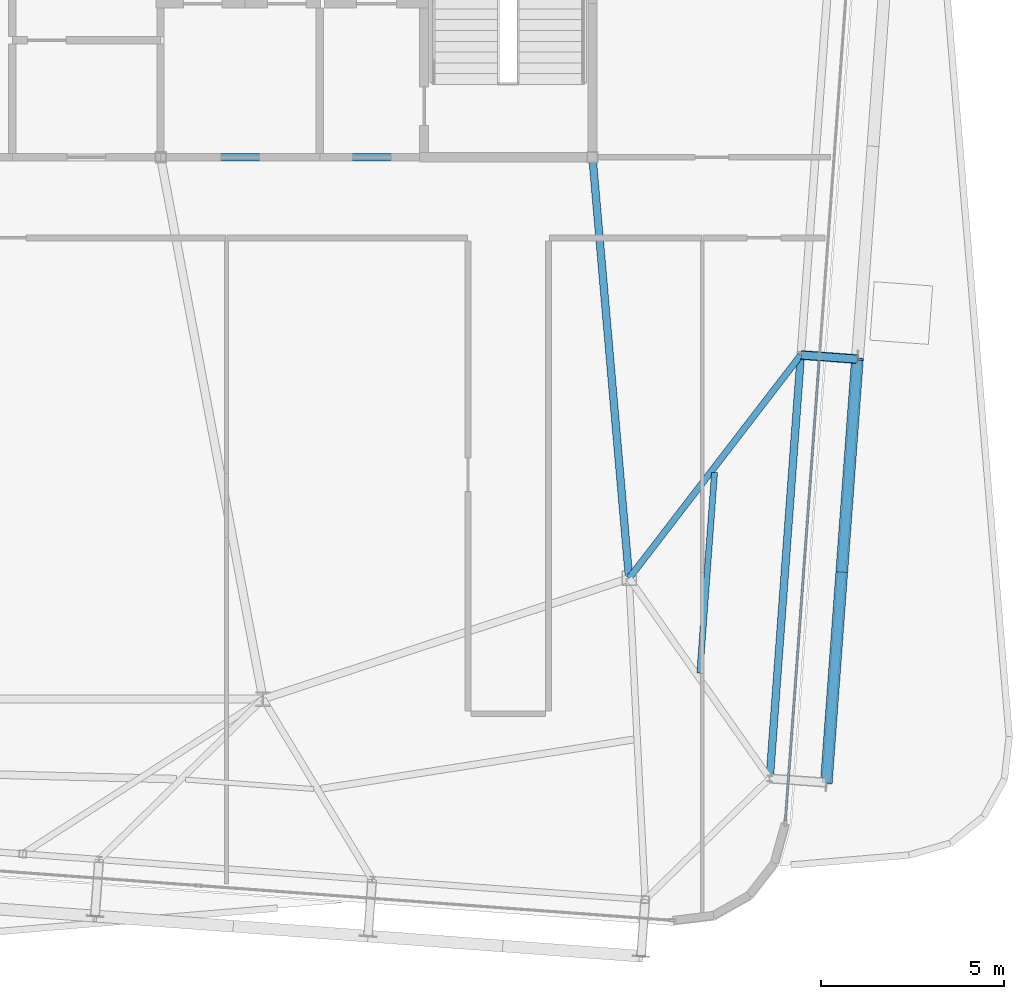
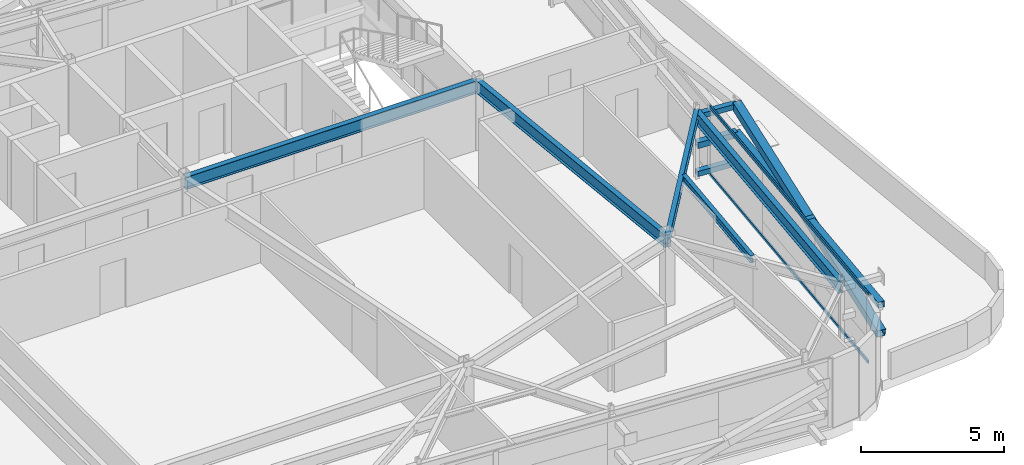
# One storey, part 17 of 37: 8 members, 5 beams, 1 element without a shape of its own.
"""IFC4 building model written with IfcOpenShell, lengths in metres."""

from ifc_helpers import new_model, si_unit, direction, frame, origin, origin_2d, place, context, subcontext, project, spatial, hollow_rectangle, i_section, extrude, source, transform, mapped, material, layer, layer_set, material_profile, profile_set, type_object, element, aggregate, save


model = new_model("IFC4")

# Units and contexts
model_context = context("Model", 3, precision=1e-05, world=origin(), true_north=direction((0.0, 1.0)))
body_context = subcontext(model_context, "Body", "Model", "MODEL_VIEW")
ifc_project = project(units=[si_unit("LENGTHUNIT", "METRE"), si_unit("AREAUNIT", "SQUARE_METRE"), si_unit("VOLUMEUNIT", "CUBIC_METRE"), si_unit("PLANEANGLEUNIT", "RADIAN"), si_unit("MASSUNIT", "GRAM", prefix="KILO")], contexts=[model_context])

# Site, building, storey
site_placement = place(None, origin())
site = spatial("IfcSite", under=ifc_project, at=site_placement, CompositionType="ELEMENT")
building_placement = place(site_placement, origin())
building = spatial("IfcBuilding", under=site, at=building_placement, Name="Taldren Reach Tower", CompositionType="ELEMENT")
storey_placement = place(building_placement, frame((0.0, 0.0, 211.39990234375)))
storey = spatial("IfcBuildingStorey", under=building, at=storey_placement, Name="L64", CompositionType="ELEMENT", Elevation=211.39990234375)

# Beams
ifc_material_1 = material(Name="Steel Gr 350 (350PLUS)", Category="steel")
ifc_material_profile_1 = material_profile(ifc_material_1, i_section(OverallWidth=0.208984375, OverallDepth=0.532958984375, WebThickness=0.01025390625, FlangeThickness=0.015625, at=origin_2d()), Name="530UB92.4")
ifc_profile_set_1 = profile_set([ifc_material_profile_1], Name="Steel Gr 350 (350PLUS)")
beam_type_1 = type_object("IfcBeamType", Name="BM-UB530A", PredefinedType="BEAM", material=ifc_profile_set_1)
shared_shape_1 = source(origin(), body_context, "Body", "SweptSolid", [
    extrude(i_section(OverallWidth=0.208984375, OverallDepth=0.532958984375, WebThickness=0.01025390625, FlangeThickness=0.015625, at=origin_2d()), origin(), (0.0, 0.0, 1.0), 11.800048828125),
])
beam_1_placement = place(storey_placement, frame((39.199951171875, 24.0, 2.66357421875), z_axis=(1.0, 0.0, 0.0), x_axis=(0.0, 1.0, 0.0)))
element("IfcBeam", 1, at=beam_1_placement, inside=storey, type_object=beam_type_1, Name="Core-spine girder L64-SP03", PredefinedType="BEAM", context=body_context, shape_type="MappedRepresentation", body=[
    mapped(shared_shape_1, transform((0.0, 0.0, 0.0), scale=1.0)),
])
shared_shape_2 = source(origin(), body_context, "Body", "SweptSolid", [
    extrude(i_section(OverallWidth=0.208984375, OverallDepth=0.532958984375, WebThickness=0.01025390625, FlangeThickness=0.015625, at=origin_2d()), origin(), (0.0, 0.0, 1.0), 11.54345703125),
])
beam_2_placement = place(storey_placement, frame((52.0, 12.5, 2.66357421875), z_axis=(-0.086629616365, 0.996240588196, 0.0), x_axis=(-0.996240588196, -0.086629616365, 0.0)))
element("IfcBeam", 2, at=beam_2_placement, inside=storey, type_object=beam_type_1, Name="Core-spine girder L64-SP13", PredefinedType="BEAM", context=body_context, shape_type="MappedRepresentation", body=[
    mapped(shared_shape_2, transform((0.0, 0.0, 0.0), scale=1.0)),
])
ifc_material_profile_2 = material_profile(ifc_material_1, i_section(OverallWidth=0.208984375, OverallDepth=0.528076171875, WebThickness=0.009521484375, FlangeThickness=0.01318359375, at=origin_2d()), Name="530UB82.0")
ifc_profile_set_2 = profile_set([ifc_material_profile_2], Name="Steel Gr 350 (350PLUS)")
beam_type_2 = type_object("IfcBeamType", Name="SP-UB530B", PredefinedType="SPANDREL", material=ifc_profile_set_2)
shared_shape_3 = source(origin(), body_context, "Body", "SweptSolid", [
    extrude(i_section(OverallWidth=0.208984375, OverallDepth=0.528076171875, WebThickness=0.009521484375, FlangeThickness=0.01318359375, at=origin_2d()), origin(), (0.0, 0.0, 1.0), 11.60009765625),
])
beam_3_placement = place(storey_placement, frame((55.841796875, 7.031005859375, 2.666015625), z_axis=(0.073242167855, 0.997314185625, 0.0), x_axis=(-0.997314185625, 0.073242167855, 0.0)))
element("IfcBeam", 3, at=beam_3_placement, inside=storey, type_object=beam_type_2, Name="Perimeter spandrel B5 E1-E2 L64", PredefinedType="SPANDREL", context=body_context, shape_type="MappedRepresentation", body=[
    mapped(shared_shape_3, transform((0.0, 0.0, 0.0), scale=1.0)),
])
ifc_material_profile_3 = material_profile(ifc_material_1, i_section(OverallWidth=0.177978515625, OverallDepth=0.406005859375, WebThickness=0.0078125, FlangeThickness=0.0126953125, at=origin_2d()), Name="410UB59.7")
ifc_profile_set_3 = profile_set([ifc_material_profile_3], Name="Steel Gr 350 (350PLUS)")
beam_type_3 = type_object("IfcBeamType", Name="BM-UB410", PredefinedType="BEAM", material=ifc_profile_set_3)
shared_shape_4 = source(origin(), body_context, "Body", "SweptSolid", [
    extrude(i_section(OverallWidth=0.177978515625, OverallDepth=0.406005859375, WebThickness=0.0078125, FlangeThickness=0.0126953125, at=origin_2d()), origin(), (0.0, 0.0, 1.0), 7.6953125),
])
beam_4_placement = place(storey_placement, frame((52.0, 12.5, 2.72705078125), z_axis=(0.609646363361, 0.792673521471, 0.0), x_axis=(-0.792673521471, 0.609646363361, 0.0)))
element("IfcBeam", 4, at=beam_4_placement, inside=storey, type_object=beam_type_3, Name="Primary floor girder B5-E2 L64", PredefinedType="BEAM", context=body_context, shape_type="MappedRepresentation", body=[
    mapped(shared_shape_4, transform((0.0, 0.0, 0.0), scale=1.0)),
])
ifc_material_2 = material(Name="Steel Gr 300 (300PLUS, 300 MPa)", Category="steel")
ifc_material_profile_4 = material_profile(ifc_material_2, i_section(OverallWidth=0.166015625, OverallDepth=0.306884765625, WebThickness=0.006591796875, FlangeThickness=0.01171875, at=origin_2d()), Name="310UB46.2")
ifc_profile_set_4 = profile_set([ifc_material_profile_4], Name="Steel Gr 300 (300PLUS, 300 MPa)")
beam_type_4 = type_object("IfcBeamType", Name="JS-UB310", PredefinedType="JOIST", material=ifc_profile_set_4)
shared_shape_5 = source(origin(), body_context, "Body", "SweptSolid", [
    extrude(i_section(OverallWidth=0.166015625, OverallDepth=0.306884765625, WebThickness=0.006591796875, FlangeThickness=0.01171875, at=origin_2d()), origin(), (0.0, 0.0, 1.0), 5.49755859375),
])
beam_5_placement = place(storey_placement, frame((53.93115234375, 9.905517578125, 2.776611328125), z_axis=(0.073228814191, 0.99731516622, 0.0), x_axis=(-0.99731516622, 0.073228814191, 0.0)))
element("IfcBeam", 5, at=beam_5_placement, inside=storey, type_object=beam_type_4, Name="Secondary floor joist B5 J7 L64", PredefinedType="JOIST", context=body_context, shape_type="MappedRepresentation", body=[
    mapped(shared_shape_5, transform((0.0, 0.0, 0.0), scale=1.0)),
])

# Members
ifc_material_3 = material(Name="Steel Gr 450 (C450L0)", Category="steel")
ifc_material_profile_5 = material_profile(ifc_material_3, hollow_rectangle(XDim=0.219970703125, YDim=0.219970703125, WallThickness=0.00830078125, at=origin_2d()), Name="220x220x8.2SHS")
ifc_profile_set_5 = profile_set([ifc_material_profile_5], Name="Steel Gr 450 (C450L0)")
member_type_1 = type_object("IfcMemberType", Name="MB-TIE219", PredefinedType="STRUT", material=ifc_profile_set_5)
shared_shape_6 = source(origin(), body_context, "Body", "SweptSolid", [
    extrude(hollow_rectangle(XDim=0.219970703125, YDim=0.219970703125, WallThickness=0.00830078125, at=origin_2d()), origin(), (0.0, 0.0, 1.0), 1.5458984375),
])
for number, where, z_axis, x_axis, name in (
    (6, (56.6953125, 18.599365234375, 2.650146484375), (0.99732305975, -0.073121231459, 0.0), (0.073121231459, 0.99732305975, 0.0), "Exoskeleton diaphragm tie strut B5-E2 L64"),
    (7, (56.6953125, 18.599365234375, 0.22021484375), (0.99732305975, -0.073121231459, 0.0), (0.073121231459, 0.99732305975, 0.0), "Exoskeleton base diaphragm tie strut B5-E2 L64"),
):
    element("IfcMember", number, at=place(storey_placement, frame(where, z_axis=z_axis, x_axis=x_axis)), inside=storey, type_object=member_type_1, Name=name, PredefinedType="STRUT", context=body_context, shape_type="MappedRepresentation", body=[
        mapped(shared_shape_6, transform((0.0, 0.0, 0.0), scale=1.0)),
    ])
ifc_material_profile_6 = material_profile(ifc_material_3, hollow_rectangle(XDim=0.324951171875, YDim=0.324951171875, WallThickness=0.0126953125, at=origin_2d()), Name="325x325x12.7SHS")
ifc_profile_set_6 = profile_set([ifc_material_profile_6], Name="Steel Gr 450 (C450L0)")
member_type_2 = type_object("IfcMemberType", Name="MB-BR324", PredefinedType="BRACE", material=ifc_profile_set_6)
shared_shape_7 = source(origin(), body_context, "Body", "SweptSolid", [
    extrude(hollow_rectangle(XDim=0.324951171875, YDim=0.324951171875, WallThickness=0.0126953125, at=origin_2d()), origin(), (0.0, 0.0, 1.0), 5.92578125),
])
member_1_placement = place(storey_placement, frame((57.3876953125, 6.91748046875, 0.22021484375), z_axis=(0.071645553297, 0.976134614303, 0.205007632667), x_axis=(-0.997317259472, 0.073200300267, 0.0)))
element("IfcMember", 8, at=member_1_placement, inside=storey, type_object=member_type_2, Name="Exoskeleton Diagrid Brace B5-E1 L64", PredefinedType="BRACE", context=body_context, shape_type="MappedRepresentation", body=[
    mapped(shared_shape_7, transform((0.0, 0.0, 0.0), scale=1.0)),
])
shared_shape_8 = source(origin(), body_context, "Body", "SweptSolid", [
    extrude(hollow_rectangle(XDim=0.324951171875, YDim=0.324951171875, WallThickness=0.0126953125, at=origin_2d()), origin(), (0.0, 0.0, 1.0), 5.926025390625),
])
member_2_placement = place(storey_placement, frame((57.812255859375, 12.701904296875, 1.43505859375), z_axis=(0.071685935393, 0.976123486939, 0.205046494513), x_axis=(-0.997314185625, 0.073242167855, 0.0)))
element("IfcMember", 9, at=member_2_placement, inside=storey, type_object=member_type_2, Name="Exoskeleton Diagrid Brace B5-E1 L64", PredefinedType="BRACE", context=body_context, shape_type="MappedRepresentation", body=[
    mapped(shared_shape_8, transform((0.0, 0.0, 0.0), scale=1.0)),
])
ifc_material_4 = material(Name="Steel Gr 350 (C350L0)", Category="steel")
ifc_material_profile_7 = material_profile(ifc_material_4, hollow_rectangle(XDim=0.25, YDim=0.25, WallThickness=0.010009765625, at=origin_2d()), Name="250x250x10.0SHS")
ifc_profile_set_7 = profile_set([ifc_material_profile_7], Name="Steel Gr 350 (C350L0)")
member_type_3 = type_object("IfcMemberType", Name="MB-POST250", PredefinedType="POST", material=ifc_profile_set_7)
shared_shape_9 = source(origin(), body_context, "Body", "SweptSolid", [
    extrude(hollow_rectangle(XDim=0.25, YDim=0.25, WallThickness=0.010009765625, at=origin_2d()), origin(), (0.0, 0.0, 1.0), 11.60009765625),
])
member_3_placement = place(storey_placement, frame((57.3876953125, 6.91748046875, 1.43505859375), z_axis=(0.073221234109, 0.997315722766, 0.0), x_axis=(-0.997315722766, 0.073221234109, 0.0)))
element("IfcMember", 10, at=member_3_placement, inside=storey, type_object=member_type_3, Name="Exoskeleton mid-height ring chord B5-E1 L64", PredefinedType="POST", context=body_context, shape_type="MappedRepresentation", body=[
    mapped(shared_shape_9, transform((0.0, 0.0, 0.0), scale=1.0)),
])
shared_shape_10 = source(origin(), body_context, "Body", "SweptSolid", [
    extrude(hollow_rectangle(XDim=0.25, YDim=0.25, WallThickness=0.010009765625, at=origin_2d()), origin(), (0.0, 0.0, 1.0), 1.5458984375),
])
member_4_placement = place(storey_placement, frame((56.6953125, 18.599365234375, 1.43505859375), z_axis=(0.99732305975, -0.073121231459, 0.0), x_axis=(0.073121231459, 0.99732305975, 0.0)))
element("IfcMember", 11, at=member_4_placement, inside=storey, type_object=member_type_3, Name="Exoskeleton mid-tier diaphragm tie B5-E2 L64", PredefinedType="POST", context=body_context, shape_type="MappedRepresentation", body=[
    mapped(shared_shape_10, transform((0.0, 0.0, 0.0), scale=1.0)),
])

# Curtain wall, members
ifc_material_5 = material(Name="Aluminium and Low-E Glass Unitised System", Category="aluminium")
ifc_layer = layer(ifc_material_5, 0.159912109375)
ifc_layer_set = layer_set([ifc_layer], Name="Aluminium and Low-E Glass Unitised System")
curtain_wall_type = type_object("IfcCurtainWallType", Name="CW-SYS-6", PredefinedType="NOTDEFINED", material=ifc_layer_set)
curtain_wall_placement = place(storey_placement, origin())
curtain_wall = element("IfcCurtainWall", 12, at=curtain_wall_placement, inside=storey, type_object=curtain_wall_type, Name="Unitised curtain wall CW-L64-E", PredefinedType="NOTDEFINED")
ifc_material_6 = material(Name="Anodised Aluminium 6063-T6", Category="aluminium")
ifc_material_profile_8 = material_profile(ifc_material_6, hollow_rectangle(XDim=0.06005859375, YDim=0.135009765625, WallThickness=0.00341796875, at=origin_2d()), Name="ALU-135x60x3.5RHS")
ifc_profile_set_8 = profile_set([ifc_material_profile_8], Name="Anodised Aluminium 6063-T6")
member_type_4 = type_object("IfcMemberType", Name="CW-TRN-150", PredefinedType="USERDEFINED", material=ifc_profile_set_8)
shared_shape_11 = source(origin(), body_context, "Body", "SweptSolid", [
    extrude(hollow_rectangle(XDim=0.06005859375, YDim=0.135009765625, WallThickness=0.00341796875, at=origin_2d()), origin(), (0.0, 0.0, 1.0), 12.6875),
])
member_5_placement = place(storey_placement, frame((56.26806640625, 5.87158203125, 0.030029296875), z_axis=(0.073237997916, 0.997314491854, 0.0), x_axis=(-0.997314491854, 0.073237997916, 0.0)))
member_5 = element("IfcMember", 13, at=member_5_placement, type_object=member_type_4, Name="CW-6 transom 1.1", ObjectType="TRANSOM", PredefinedType="USERDEFINED", context=body_context, shape_type="MappedRepresentation", body=[
    mapped(shared_shape_11, transform((0.0, 0.0, 0.0), scale=1.0)),
])
member_6_placement = place(storey_placement, frame((56.26806640625, 5.87158203125, 2.900146484375), z_axis=(0.073237997916, 0.997314491854, 0.0), x_axis=(-0.997314491854, 0.073237997916, 0.0)))
member_6 = element("IfcMember", 14, at=member_6_placement, type_object=member_type_4, Name="CW-6 transom 1.2", ObjectType="TRANSOM", PredefinedType="USERDEFINED", context=body_context, shape_type="MappedRepresentation", body=[
    mapped(shared_shape_11, transform((0.0, 0.0, 0.0), scale=1.0)),
])
aggregate(curtain_wall, [member_5, member_6])

save(model, "model.ifc")
